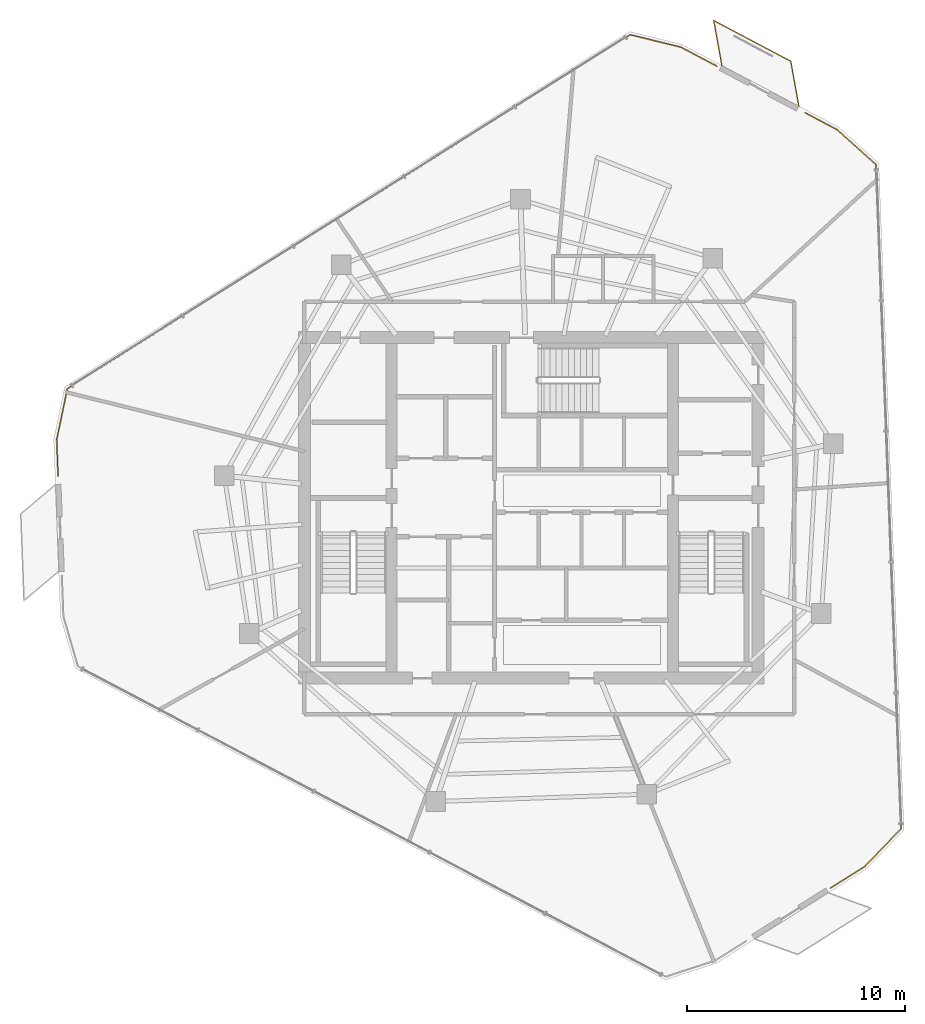
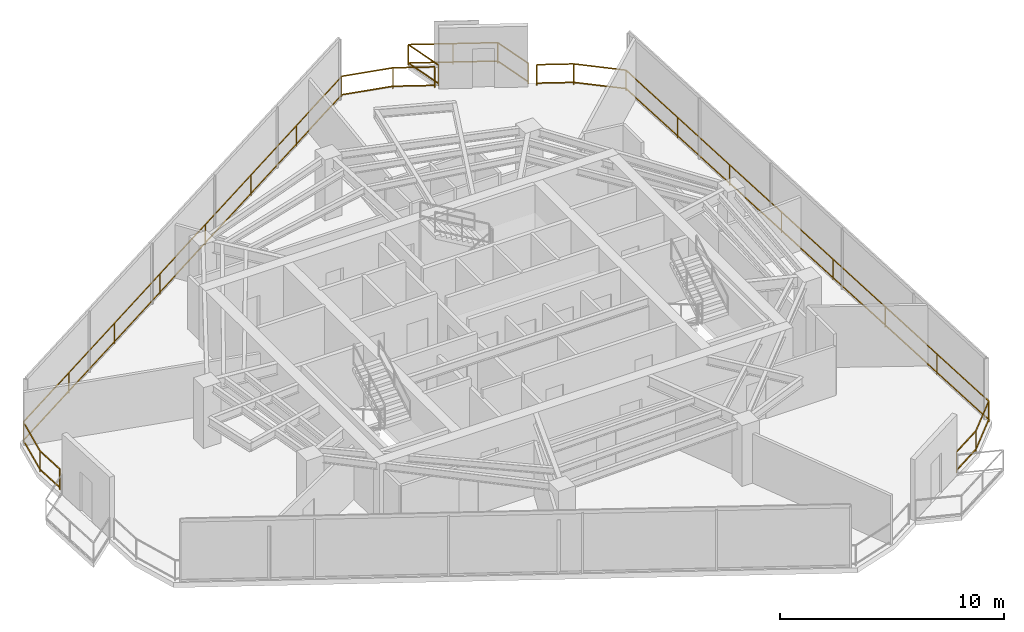
# One storey, part 19 of 19: 4 railings.
"""IFC4 building model written with IfcOpenShell, lengths in metres."""

from ifc_helpers import new_model, si_unit, direction, frame, origin, origin_2d, place, context, subcontext, project, spatial, rectangle, extrude, material, type_object, element, save


model = new_model("IFC4")

# Units and contexts
model_context = context("Model", 3, precision=1e-05, world=origin(), true_north=direction((0.0, 1.0)))
body_context = subcontext(model_context, "Body", "Model", "MODEL_VIEW")
ifc_project = project(units=[si_unit("LENGTHUNIT", "METRE"), si_unit("AREAUNIT", "SQUARE_METRE"), si_unit("VOLUMEUNIT", "CUBIC_METRE"), si_unit("PLANEANGLEUNIT", "RADIAN"), si_unit("MASSUNIT", "GRAM", prefix="KILO")], contexts=[model_context])

# Site, building, storey
site_placement = place(None, origin())
site = spatial("IfcSite", under=ifc_project, at=site_placement, CompositionType="ELEMENT")
building_placement = place(site_placement, origin())
building = spatial("IfcBuilding", under=site, at=building_placement, Name="Qarnah Convention Tower", CompositionType="ELEMENT")
storey_placement = place(building_placement, frame((0.0, 0.0, 187.800048828125)))
storey = spatial("IfcBuildingStorey", under=building, at=storey_placement, Name="L50", CompositionType="ELEMENT", Elevation=187.800048828125)

# Railings
ifc_material = material(Name="Black anodised aluminium", Category="aluminium")
railing_type = type_object("IfcRailingType", Name="RL-EXT-GUARD-1150", PredefinedType="GUARDRAIL", material=ifc_material)
railing_1_placement = place(storey_placement, frame((44.06103515625, 47.51611328125, 0.0)))
element("IfcRailing", 1, at=railing_1_placement, inside=storey, type_object=railing_type, Name="L50 slab-edge perimeter safety guard 01", PredefinedType="GUARDRAIL", context=body_context, shape_type="SweptSolid", body=[
    extrude(rectangle(XDim=0.048095703125, YDim=0.048095703125, at=origin_2d()), frame((0.0, 0.0, 1.1259765625), z_axis=(0.884266563074, -0.466982489424, 0.0), x_axis=(0.466982489424, 0.884266563074, 0.0)), (0.0, 0.0, 1.0), 1.87158203125),
    extrude(rectangle(XDim=0.048095703125, YDim=0.048095703125, at=origin_2d()), frame((0.0, 0.0, 0.1201171875), z_axis=(0.884266563074, -0.466982489424, 0.0), x_axis=(0.466982489424, 0.884266563074, 0.0)), (0.0, 0.0, 1.0), 1.87158203125),
    extrude(rectangle(XDim=0.0419921875, YDim=0.0419921875, at=origin_2d()), origin(), (0.0, 0.0, 1.0), 1.101806640625),
    extrude(rectangle(XDim=0.0419921875, YDim=0.0419921875, at=origin_2d()), frame((1.655029296875, -0.8740234375, 0.0)), (0.0, 0.0, 1.0), 1.101806640625),
])
railing_2_placement = place(storey_placement, frame((49.7470703125, 44.512939453125, 0.0)))
element("IfcRailing", 2, at=railing_2_placement, inside=storey, type_object=railing_type, Name="L50 slab-edge perimeter safety guard 02", PredefinedType="GUARDRAIL", context=body_context, shape_type="SweptSolid", body=[
    extrude(rectangle(XDim=0.048095703125, YDim=0.048095703125, at=origin_2d()), frame((0.0, 0.0, 1.1259765625), z_axis=(0.884113163442, -0.467272847733, 0.0), x_axis=(0.467272847733, 0.884113163442, 0.0)), (0.0, 0.0, 1.0), 1.660400390625),
    extrude(rectangle(XDim=0.048095703125, YDim=0.048095703125, at=origin_2d()), frame((0.0, 0.0, 0.1201171875), z_axis=(0.884113163442, -0.467272847733, 0.0), x_axis=(0.467272847733, 0.884113163442, 0.0)), (0.0, 0.0, 1.0), 1.660400390625),
    extrude(rectangle(XDim=0.048095703125, YDim=0.048095703125, at=origin_2d()), frame((1.468017578125, -0.77587890625, 1.1259765625), z_axis=(0.745145132668, -0.666902340122, 0.0), x_axis=(0.666902340122, 0.745145132668, 0.0)), (0.0, 0.0, 1.0), 2.39013671875),
    extrude(rectangle(XDim=0.048095703125, YDim=0.048095703125, at=origin_2d()), frame((1.468017578125, -0.77587890625, 0.1201171875), z_axis=(0.745145132668, -0.666902340122, 0.0), x_axis=(0.666902340122, 0.745145132668, 0.0)), (0.0, 0.0, 1.0), 2.39013671875),
    extrude(rectangle(XDim=0.048095703125, YDim=0.048095703125, at=origin_2d()), frame((3.2490234375, -2.369873046875, 1.1259765625), z_axis=(0.037703273798, -0.999288978797, 0.0), x_axis=(0.999288978797, 0.037703273798, 0.0)), (0.0, 0.0, 1.0), 30.472900390625),
    extrude(rectangle(XDim=0.048095703125, YDim=0.048095703125, at=origin_2d()), frame((3.2490234375, -2.369873046875, 0.1201171875), z_axis=(0.037703273798, -0.999288978797, 0.0), x_axis=(0.999288978797, 0.037703273798, 0.0)), (0.0, 0.0, 1.0), 30.472900390625),
    extrude(rectangle(XDim=0.048095703125, YDim=0.048095703125, at=origin_2d()), frame((4.39794921875, -32.821044921875, 1.1259765625), z_axis=(-0.692767776919, -0.721160736079, 0.0), x_axis=(0.721160736079, -0.692767776919, 0.0)), (0.0, 0.0, 1.0), 2.390380859375),
    extrude(rectangle(XDim=0.048095703125, YDim=0.048095703125, at=origin_2d()), frame((4.39794921875, -32.821044921875, 0.1201171875), z_axis=(-0.692767776919, -0.721160736079, 0.0), x_axis=(0.721160736079, -0.692767776919, 0.0)), (0.0, 0.0, 1.0), 2.390380859375),
    extrude(rectangle(XDim=0.048095703125, YDim=0.048095703125, at=origin_2d()), frame((2.741943359375, -34.544921875, 1.1259765625), z_axis=(-0.846676839916, -0.532107440983, 0.0), x_axis=(0.532107440983, -0.846676839916, 0.0)), (0.0, 0.0, 1.0), 1.8720703125),
    extrude(rectangle(XDim=0.048095703125, YDim=0.048095703125, at=origin_2d()), frame((2.741943359375, -34.544921875, 0.1201171875), z_axis=(-0.846676839916, -0.532107440983, 0.0), x_axis=(0.532107440983, -0.846676839916, 0.0)), (0.0, 0.0, 1.0), 1.8720703125),
    extrude(rectangle(XDim=0.0419921875, YDim=0.0419921875, at=origin_2d()), origin(), (0.0, 0.0, 1.0), 1.101806640625),
    extrude(rectangle(XDim=0.0419921875, YDim=0.0419921875, at=origin_2d()), frame((1.468017578125, -0.77587890625, 0.0)), (0.0, 0.0, 1.0), 1.101806640625),
    extrude(rectangle(XDim=0.0419921875, YDim=0.0419921875, at=origin_2d()), frame((3.2490234375, -2.369873046875, 0.0)), (0.0, 0.0, 1.0), 1.101806640625),
    extrude(rectangle(XDim=0.0419921875, YDim=0.0419921875, at=origin_2d()), frame((3.4130859375, -6.719970703125, 0.0)), (0.0, 0.0, 1.0), 1.101806640625),
    extrude(rectangle(XDim=0.0419921875, YDim=0.0419921875, at=origin_2d()), frame((3.577392578125, -11.0703125, 0.0)), (0.0, 0.0, 1.0), 1.101806640625),
    extrude(rectangle(XDim=0.0419921875, YDim=0.0419921875, at=origin_2d()), frame((3.741455078125, -15.42041015625, 0.0)), (0.0, 0.0, 1.0), 1.101806640625),
    extrude(rectangle(XDim=0.0419921875, YDim=0.0419921875, at=origin_2d()), frame((3.905517578125, -19.7705078125, 0.0)), (0.0, 0.0, 1.0), 1.101806640625),
    extrude(rectangle(XDim=0.0419921875, YDim=0.0419921875, at=origin_2d()), frame((4.069580078125, -24.12060546875, 0.0)), (0.0, 0.0, 1.0), 1.101806640625),
    extrude(rectangle(XDim=0.0419921875, YDim=0.0419921875, at=origin_2d()), frame((4.23388671875, -28.470947265625, 0.0)), (0.0, 0.0, 1.0), 1.101806640625),
    extrude(rectangle(XDim=0.0419921875, YDim=0.0419921875, at=origin_2d()), frame((4.39794921875, -32.821044921875, 0.0)), (0.0, 0.0, 1.0), 1.101806640625),
    extrude(rectangle(XDim=0.0419921875, YDim=0.0419921875, at=origin_2d()), frame((2.741943359375, -34.544921875, 0.0)), (0.0, 0.0, 1.0), 1.101806640625),
    extrude(rectangle(XDim=0.0419921875, YDim=0.0419921875, at=origin_2d()), frame((1.156982421875, -35.541015625, 0.0)), (0.0, 0.0, 1.0), 1.101806640625),
])
railing_3_placement = place(storey_placement, frame((15.514892578125, 27.867919921875, 0.0)))
element("IfcRailing", 3, at=railing_3_placement, inside=storey, type_object=railing_type, Name="L50 slab-edge perimeter safety guard 04", PredefinedType="GUARDRAIL", context=body_context, shape_type="SweptSolid", body=[
    extrude(rectangle(XDim=0.048095703125, YDim=0.048095703125, at=origin_2d()), frame((0.0, 0.0, 1.1259765625), z_axis=(-0.037326910213, 0.999303108058, 0.0), x_axis=(-0.999303108058, -0.037326910213, 0.0)), (0.0, 0.0, 1.0), 1.661376953125),
    extrude(rectangle(XDim=0.048095703125, YDim=0.048095703125, at=origin_2d()), frame((0.0, 0.0, 0.1201171875), z_axis=(-0.037326910213, 0.999303108058, 0.0), x_axis=(-0.999303108058, -0.037326910213, 0.0)), (0.0, 0.0, 1.0), 1.661376953125),
    extrude(rectangle(XDim=0.048095703125, YDim=0.048095703125, at=origin_2d()), frame((-0.06201171875, 1.66015625, 1.1259765625), z_axis=(0.205063374794, 0.978748697224, 0.0), x_axis=(-0.978748697224, 0.205063374794, 0.0)), (0.0, 0.0, 1.0), 2.390625),
    extrude(rectangle(XDim=0.048095703125, YDim=0.048095703125, at=origin_2d()), frame((-0.06201171875, 1.66015625, 0.1201171875), z_axis=(0.205063374794, 0.978748697224, 0.0), x_axis=(-0.978748697224, 0.205063374794, 0.0)), (0.0, 0.0, 1.0), 2.390625),
    extrude(rectangle(XDim=0.048095703125, YDim=0.048095703125, at=origin_2d()), frame((0.42822265625, 4.0, 1.1259765625), z_axis=(0.846565686631, 0.532284264486, 0.0), x_axis=(-0.532284264486, 0.846565686631, 0.0)), (0.0, 0.0, 1.0), 30.472412109375),
    extrude(rectangle(XDim=0.048095703125, YDim=0.048095703125, at=origin_2d()), frame((0.42822265625, 4.0, 0.1201171875), z_axis=(0.846565686631, 0.532284264486, 0.0), x_axis=(-0.532284264486, 0.846565686631, 0.0)), (0.0, 0.0, 1.0), 30.472412109375),
    extrude(rectangle(XDim=0.048095703125, YDim=0.048095703125, at=origin_2d()), frame((26.22509765625, 20.219970703125, 1.1259765625), z_axis=(0.970971831332, -0.239193860206, 0.0), x_axis=(0.239193860206, 0.970971831332, 0.0)), (0.0, 0.0, 1.0), 2.390380859375),
    extrude(rectangle(XDim=0.048095703125, YDim=0.048095703125, at=origin_2d()), frame((26.22509765625, 20.219970703125, 0.1201171875), z_axis=(0.970971831332, -0.239193860206, 0.0), x_axis=(0.239193860206, 0.970971831332, 0.0)), (0.0, 0.0, 1.0), 2.390380859375),
    extrude(rectangle(XDim=0.0419921875, YDim=0.0419921875, at=origin_2d()), origin(), (0.0, 0.0, 1.0), 1.101806640625),
    extrude(rectangle(XDim=0.0419921875, YDim=0.0419921875, at=origin_2d()), frame((-0.06201171875, 1.66015625, 0.0)), (0.0, 0.0, 1.0), 1.101806640625),
    extrude(rectangle(XDim=0.0419921875, YDim=0.0419921875, at=origin_2d()), frame((0.42822265625, 4.0, 0.0)), (0.0, 0.0, 1.0), 1.101806640625),
    extrude(rectangle(XDim=0.0419921875, YDim=0.0419921875, at=origin_2d()), frame((4.113525390625, 6.317138671875, 0.0)), (0.0, 0.0, 1.0), 1.101806640625),
    extrude(rectangle(XDim=0.0419921875, YDim=0.0419921875, at=origin_2d()), frame((7.798828125, 8.63427734375, 0.0)), (0.0, 0.0, 1.0), 1.101806640625),
    extrude(rectangle(XDim=0.0419921875, YDim=0.0419921875, at=origin_2d()), frame((11.484130859375, 10.951416015625, 0.0)), (0.0, 0.0, 1.0), 1.101806640625),
    extrude(rectangle(XDim=0.0419921875, YDim=0.0419921875, at=origin_2d()), frame((15.169189453125, 13.2685546875, 0.0)), (0.0, 0.0, 1.0), 1.101806640625),
    extrude(rectangle(XDim=0.0419921875, YDim=0.0419921875, at=origin_2d()), frame((18.8544921875, 15.585693359375, 0.0)), (0.0, 0.0, 1.0), 1.101806640625),
    extrude(rectangle(XDim=0.0419921875, YDim=0.0419921875, at=origin_2d()), frame((22.539794921875, 17.90283203125, 0.0)), (0.0, 0.0, 1.0), 1.101806640625),
    extrude(rectangle(XDim=0.0419921875, YDim=0.0419921875, at=origin_2d()), frame((26.22509765625, 20.219970703125, 0.0)), (0.0, 0.0, 1.0), 1.101806640625),
    extrude(rectangle(XDim=0.0419921875, YDim=0.0419921875, at=origin_2d()), frame((28.546142578125, 19.648193359375, 0.0)), (0.0, 0.0, 1.0), 1.101806640625),
])
railing_4_placement = place(storey_placement, frame((45.93310546875, 46.679931640625, 0.0)))
element("IfcRailing", 4, at=railing_4_placement, inside=storey, type_object=railing_type, Name="L50 balcony safety guard BAL-L50-C1", PredefinedType="GUARDRAIL", context=body_context, shape_type="SweptSolid", body=[
    extrude(rectangle(XDim=0.048095703125, YDim=0.048095703125, at=origin_2d()), frame((0.0, 0.0, 1.1259765625), z_axis=(-0.176750947897, 0.984255608273, 0.0), x_axis=(-0.984255608273, -0.176750947897, 0.0)), (0.0, 0.0, 1.0), 2.093994140625),
    extrude(rectangle(XDim=0.048095703125, YDim=0.048095703125, at=origin_2d()), frame((0.0, 0.0, 0.1201171875), z_axis=(-0.176750947897, 0.984255608273, 0.0), x_axis=(-0.984255608273, -0.176750947897, 0.0)), (0.0, 0.0, 1.0), 2.093994140625),
    extrude(rectangle(XDim=0.048095703125, YDim=0.048095703125, at=origin_2d()), frame((-0.3701171875, 2.06103515625, 1.1259765625), z_axis=(0.884269950034, -0.466976075905, 0.0), x_axis=(0.466976075905, 0.884269950034, 0.0)), (0.0, 0.0, 1.0), 4.0),
    extrude(rectangle(XDim=0.048095703125, YDim=0.048095703125, at=origin_2d()), frame((-0.3701171875, 2.06103515625, 0.1201171875), z_axis=(0.884269950034, -0.466976075905, 0.0), x_axis=(0.466976075905, 0.884269950034, 0.0)), (0.0, 0.0, 1.0), 4.0),
    extrude(rectangle(XDim=0.048095703125, YDim=0.048095703125, at=origin_2d()), frame((3.1669921875, 0.193115234375, 1.1259765625), z_axis=(0.176637996458, -0.984275885211, 0.0), x_axis=(0.984275885211, 0.176637996458, 0.0)), (0.0, 0.0, 1.0), 2.093994140625),
    extrude(rectangle(XDim=0.048095703125, YDim=0.048095703125, at=origin_2d()), frame((3.1669921875, 0.193115234375, 0.1201171875), z_axis=(0.176637996458, -0.984275885211, 0.0), x_axis=(0.984275885211, 0.176637996458, 0.0)), (0.0, 0.0, 1.0), 2.093994140625),
    extrude(rectangle(XDim=0.0419921875, YDim=0.0419921875, at=origin_2d()), origin(), (0.0, 0.0, 1.0), 1.101806640625),
    extrude(rectangle(XDim=0.0419921875, YDim=0.0419921875, at=origin_2d()), frame((-0.3701171875, 2.06103515625, 0.0)), (0.0, 0.0, 1.0), 1.101806640625),
    extrude(rectangle(XDim=0.0419921875, YDim=0.0419921875, at=origin_2d()), frame((1.3984375, 1.126953125, 0.0)), (0.0, 0.0, 1.0), 1.101806640625),
    extrude(rectangle(XDim=0.0419921875, YDim=0.0419921875, at=origin_2d()), frame((3.1669921875, 0.193115234375, 0.0)), (0.0, 0.0, 1.0), 1.101806640625),
    extrude(rectangle(XDim=0.0419921875, YDim=0.0419921875, at=origin_2d()), frame((3.536865234375, -1.867919921875, 0.0)), (0.0, 0.0, 1.0), 1.101806640625),
])

save(model, "model.ifc")
